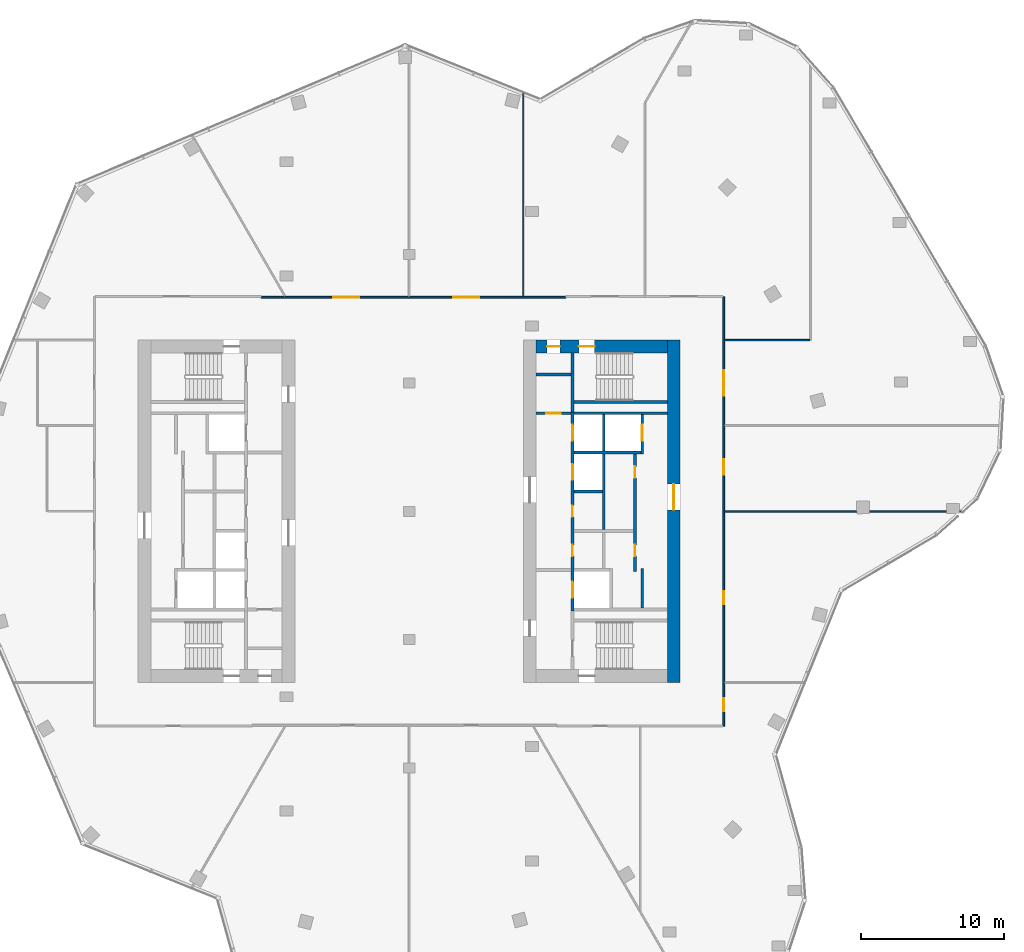
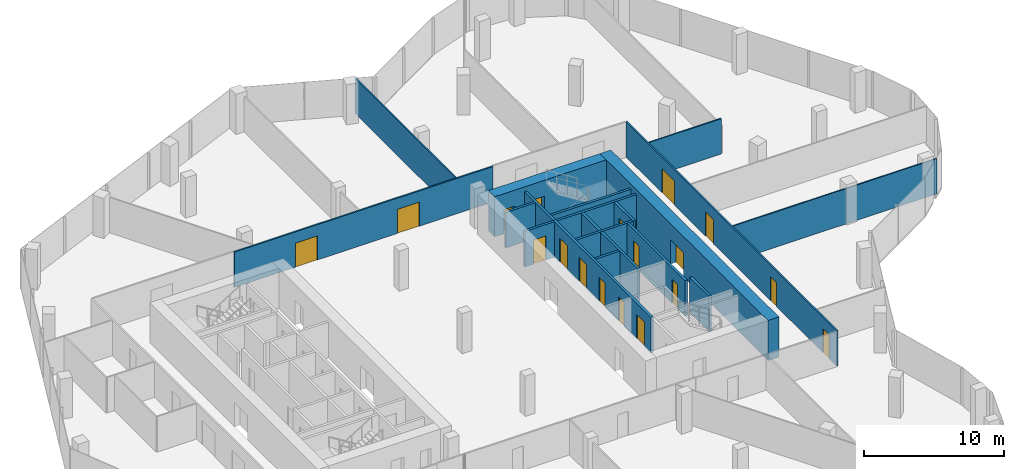
# One storey, part 14 of 16: 20 walls, 18 doors, 18 openings.
"""IFC4 building model written with IfcOpenShell, lengths in metres."""

from ifc_helpers import new_model, si_unit, direction, frame, frame_2d, origin, place, context, subcontext, project, spatial, rectangle, extrude, material, layer, layer_set, type_object, element, fill, save


model = new_model("IFC4")

# Units and contexts
model_context = context("Model", 3, precision=1e-05, world=origin(), true_north=direction((0.0, 1.0)))
body_context = subcontext(model_context, "Body", "Model", "MODEL_VIEW")
ifc_project = project(units=[si_unit("LENGTHUNIT", "METRE"), si_unit("AREAUNIT", "SQUARE_METRE"), si_unit("VOLUMEUNIT", "CUBIC_METRE"), si_unit("PLANEANGLEUNIT", "RADIAN"), si_unit("MASSUNIT", "GRAM", prefix="KILO")], contexts=[model_context])

# Site, building, storey
site_placement = place(None, origin())
site = spatial("IfcSite", under=ifc_project, at=site_placement, CompositionType="ELEMENT")
building_placement = place(site_placement, origin())
building = spatial("IfcBuilding", under=site, at=building_placement, Name="Orlundy Tower", CompositionType="ELEMENT")
storey_placement = place(building_placement, frame((0.0, 0.0, 285.89990234375)))
storey = spatial("IfcBuildingStorey", under=building, at=storey_placement, Name="L76", CompositionType="ELEMENT", Elevation=285.89990234375)

# Wall, openings, doors
ifc_material_1 = material(Name="Concrete C50/60", Category="concrete")
ifc_layer_1 = layer(ifc_material_1, 0.89990234375)
ifc_layer_set_1 = layer_set([ifc_layer_1], Name="CORE WALL 900 C50/60")
wall_type_1 = type_object("IfcWallType", Name="CORE WALL 900 C50/60", PredefinedType="SHEAR", material=ifc_layer_set_1)
wall_1_placement = place(storey_placement, frame((8.89990234375, 11.550048828125, 0.0), z_axis=(0.0, 0.0, 1.0), x_axis=(1.0, 0.0, 0.0)))
wall_1 = element("IfcWall", 1, at=wall_1_placement, inside=storey, type_object=wall_type_1, Name="Core wall E-N L76", PredefinedType="SHEAR", context=body_context, shape_type="SweptSolid", body=[
    extrude(rectangle(XDim=9.2001953125, YDim=0.89990234375, at=frame_2d((4.60009765625, 0.0))), origin(), (0.0, 0.0, 1.0), 3.5),
])
opening_1_placement = place(wall_1_placement, frame((3.0, 0.0, 0.0)))
opening_1 = element("IfcOpeningElement", 2, at=opening_1_placement, cuts=wall_1, Name="Opening 58062", PredefinedType="OPENING", context=body_context, shape_type="SweptSolid", body=[
    extrude(rectangle(XDim=1.10009765625, YDim=2.10009765625, at=frame_2d((0.550048828125, 1.050048828125))), frame((0.0, 0.4599609375, 0.0), z_axis=(0.0, -1.0, 0.0), x_axis=(1.0, 0.0, 0.0)), (0.0, 0.0, 1.0), 0.919921875),
])
opening_2_placement = place(wall_1_placement, frame((0.77001953125, 0.0, 0.0)))
opening_2 = element("IfcOpeningElement", 3, at=opening_2_placement, cuts=wall_1, Name="Opening 58064", PredefinedType="OPENING", context=body_context, shape_type="SweptSolid", body=[
    extrude(rectangle(XDim=0.89990234375, YDim=2.10009765625, at=frame_2d((0.449951171875, 1.050048828125))), frame((0.0, 0.4599609375, 0.0), z_axis=(0.0, -1.0, 0.0), x_axis=(1.0, 0.0, 0.0)), (0.0, 0.0, 1.0), 0.919921875),
])
ifc_material_2 = material(Name="Timber door set", Category="wood")
door_type_1 = type_object("IfcDoorType", Name="Room Door 900x2100", OperationType="SINGLE_SWING_LEFT", PredefinedType="DOOR", material=ifc_material_2)
door_1_placement = place(opening_2_placement, origin())
door_1 = element("IfcDoor", 4, at=door_1_placement, inside=storey, type_object=door_type_1, Name="Store door 58064", OperationType="SINGLE_SWING_LEFT", OverallHeight=2.10009765625, OverallWidth=0.89990234375, PredefinedType="DOOR", context=body_context, shape_type="SweptSolid", body=[
    extrude(rectangle(XDim=0.89990234375, YDim=2.10009765625, at=frame_2d((0.449951171875, 1.050048828125))), frame((0.0, 0.02490234375, 0.0), z_axis=(0.0, -1.0, 0.0), x_axis=(1.0, 0.0, 0.0)), (0.0, 0.0, 1.0), 0.050048828125),
])
fill(opening_2, door_1)
ifc_material_3 = material(Name="Steel door set", Category="steel")
door_type_2 = type_object("IfcDoorType", Name="Stair Door 1100x2100", OperationType="SINGLE_SWING_LEFT", PredefinedType="DOOR", material=ifc_material_3)
door_2_placement = place(opening_1_placement, origin())
door_2 = element("IfcDoor", 5, at=door_2_placement, inside=storey, type_object=door_type_2, Name="Stair door 58062", OperationType="SINGLE_SWING_LEFT", OverallHeight=2.10009765625, OverallWidth=1.10009765625, PredefinedType="DOOR", context=body_context, shape_type="SweptSolid", body=[
    extrude(rectangle(XDim=1.10009765625, YDim=2.10009765625, at=frame_2d((0.550048828125, 1.050048828125))), frame((0.0, 0.02490234375, 0.0), z_axis=(0.0, -1.0, 0.0), x_axis=(1.0, 0.0, 0.0)), (0.0, 0.0, 1.0), 0.050048828125),
])
fill(opening_1, door_2)

# Wall, opening, door
wall_2_placement = place(storey_placement, frame((18.550048828125, -12.0, 0.0), z_axis=(0.0, 0.0, 1.0), x_axis=(0.0, 1.0, 0.0)))
wall_2 = element("IfcWall", 6, at=wall_2_placement, inside=storey, type_object=wall_type_1, Name="Core wall E-E L76", PredefinedType="SHEAR", context=body_context, shape_type="SweptSolid", body=[
    extrude(rectangle(XDim=24.0, YDim=0.89990234375, at=frame_2d((12.0, 0.0))), origin(), (0.0, 0.0, 1.0), 3.5),
])
opening_3_placement = place(wall_2_placement, frame((12.10009765625, 0.0, 0.0)))
opening_3 = element("IfcOpeningElement", 7, at=opening_3_placement, cuts=wall_2, Name="Opening 58059", PredefinedType="OPENING", context=body_context, shape_type="SweptSolid", body=[
    extrude(rectangle(XDim=1.800048828125, YDim=2.10009765625, at=frame_2d((0.89990234375, 1.050048828125))), frame((0.0, 0.4599609375, 0.0), z_axis=(0.0, -1.0, 0.0), x_axis=(1.0, 0.0, 0.0)), (0.0, 0.0, 1.0), 0.919921875),
])
ifc_material_4 = material(Name="Timber door set", Category="wood")
door_type_3 = type_object("IfcDoorType", Name="Lobby Door 1800x2100", OperationType="DOUBLE_DOOR_DOUBLE_SWING", PredefinedType="DOOR", material=ifc_material_4)
door_3_placement = place(opening_3_placement, origin())
door_3 = element("IfcDoor", 8, at=door_3_placement, inside=storey, type_object=door_type_3, Name="Lift lobby door 58059", OperationType="SINGLE_SWING_RIGHT", OverallHeight=2.10009765625, OverallWidth=1.800048828125, PredefinedType="DOOR", context=body_context, shape_type="SweptSolid", body=[
    extrude(rectangle(XDim=1.800048828125, YDim=2.10009765625, at=frame_2d((0.89990234375, 1.050048828125))), frame((0.0, 0.02490234375, 0.0), z_axis=(0.0, -1.0, 0.0), x_axis=(1.0, 0.0, 0.0)), (0.0, 0.0, 1.0), 0.050048828125),
])
fill(opening_3, door_3)

# Walls
ifc_material_5 = material(Name="Gypsum board partition")
ifc_layer_2 = layer(ifc_material_5, 0.10009765625)
ifc_layer_set_2 = layer_set([ifc_layer_2], Name="Floor partition 100")
wall_type_2 = type_object("IfcWallType", Name="Floor partition 100", PredefinedType="PARTITIONING", material=ifc_layer_set_2)
wall_3_placement = place(storey_placement, frame((22.113037109375, 0.0, 0.0), z_axis=(0.0, 0.0, 1.0), x_axis=(1.0, 0.0, 0.0)))
element("IfcWall", 9, at=wall_3_placement, inside=storey, type_object=wall_type_2, Name="wall-int-L76-009", PredefinedType="PARTITIONING", context=body_context, shape_type="SweptSolid", body=[
    extrude(rectangle(XDim=16.802978515625, YDim=0.10009765625, at=frame_2d((8.4013671875, 0.0))), origin(), (0.0, 0.0, 1.0), 3.080078125),
])
wall_4_placement = place(storey_placement, frame((22.113037109375, 12.0, 0.0), z_axis=(0.0, 0.0, 1.0), x_axis=(1.0, 0.0, 0.0)))
element("IfcWall", 10, at=wall_4_placement, inside=storey, type_object=wall_type_2, Name="wall-int-L76-013", PredefinedType="PARTITIONING", context=body_context, shape_type="SweptSolid", body=[
    extrude(rectangle(XDim=5.97802734375, YDim=0.10009765625, at=frame_2d((2.989013671875, 0.0))), origin(), (0.0, 0.0, 1.0), 3.080078125),
])
wall_5_placement = place(storey_placement, frame((8.0, 15.06298828125, 0.0), z_axis=(0.0, 0.0, 1.0), x_axis=(0.0, 1.0, 0.0)))
element("IfcWall", 11, at=wall_5_placement, inside=storey, type_object=wall_type_2, Name="wall-int-L76-023", PredefinedType="PARTITIONING", context=body_context, shape_type="SweptSolid", body=[
    extrude(rectangle(XDim=14.3310546875, YDim=0.10009765625, at=frame_2d((7.16552734375, 0.0))), origin(), (0.0, 0.0, 1.0), 3.080078125),
])

# Wall, openings, doors
ifc_material_6 = material(Name="Gypsum board partition, double layer")
ifc_layer_3 = layer(ifc_material_6, 0.125)
ifc_layer_set_3 = layer_set([ifc_layer_3], Name="Floor partition 125")
wall_type_3 = type_object("IfcWallType", Name="Floor partition 125", PredefinedType="PARTITIONING", material=ifc_layer_set_3)
wall_6_placement = place(storey_placement, frame((-10.34912109375, 15.0009765625, 0.0), z_axis=(0.0, 0.0, 1.0), x_axis=(1.0, 0.0, 0.0)))
wall_6 = element("IfcWall", 12, at=wall_6_placement, inside=storey, type_object=wall_type_3, Name="wall-int-L76-014", PredefinedType="PARTITIONING", context=body_context, shape_type="SweptSolid", body=[
    extrude(rectangle(XDim=21.339111328125, YDim=0.125, at=frame_2d((10.66943359375, 0.0))), origin(), (0.0, 0.0, 1.0), 3.080078125),
])
opening_4_placement = place(wall_6_placement, frame((13.448974609375, 0.0, 0.0)))
opening_4 = element("IfcOpeningElement", 13, at=opening_4_placement, cuts=wall_6, Name="Opening 58112", PredefinedType="OPENING", context=body_context, shape_type="SweptSolid", body=[
    extrude(rectangle(XDim=1.800048828125, YDim=2.10009765625, at=frame_2d((0.89990234375, 1.050048828125))), frame((0.0, 0.072509765625, 0.0), z_axis=(0.0, -1.0, 0.0), x_axis=(1.0, 0.0, 0.0)), (0.0, 0.0, 1.0), 0.14501953125),
])
opening_5_placement = place(wall_6_placement, frame((5.0380859375, 0.0, 0.0)))
opening_5 = element("IfcOpeningElement", 14, at=opening_5_placement, cuts=wall_6, Name="Opening 58113", PredefinedType="OPENING", context=body_context, shape_type="SweptSolid", body=[
    extrude(rectangle(XDim=1.800048828125, YDim=2.10009765625, at=frame_2d((0.89990234375, 1.050048828125))), frame((0.0, 0.072509765625, 0.0), z_axis=(0.0, -1.0, 0.0), x_axis=(1.0, 0.0, 0.0)), (0.0, 0.0, 1.0), 0.14501953125),
])
ifc_material_7 = material(Name="Timber door leaf", Category="wood")
door_type_4 = type_object("IfcDoorType", Name="Floor door double 1800 FD30S", OperationType="NOTDEFINED", PredefinedType="DOOR", material=ifc_material_7)
door_4_placement = place(opening_4_placement, origin())
door_4 = element("IfcDoor", 15, at=door_4_placement, inside=storey, type_object=door_type_4, Name="Door 58112", OperationType="DOUBLE_DOOR_SINGLE_SWING", OverallHeight=2.10009765625, OverallWidth=1.800048828125, PredefinedType="DOOR", context=body_context, shape_type="SweptSolid", body=[
    extrude(rectangle(XDim=1.800048828125, YDim=2.10009765625, at=frame_2d((0.89990234375, 1.050048828125))), frame((0.0, 0.02490234375, 0.0), z_axis=(0.0, -1.0, 0.0), x_axis=(1.0, 0.0, 0.0)), (0.0, 0.0, 1.0), 0.050048828125),
])
fill(opening_4, door_4)
door_5_placement = place(opening_5_placement, origin())
door_5 = element("IfcDoor", 16, at=door_5_placement, inside=storey, type_object=door_type_4, Name="Door 58113", OperationType="DOUBLE_DOOR_SINGLE_SWING", OverallHeight=2.10009765625, OverallWidth=1.800048828125, PredefinedType="DOOR", context=body_context, shape_type="SweptSolid", body=[
    extrude(rectangle(XDim=1.800048828125, YDim=2.10009765625, at=frame_2d((0.89990234375, 1.050048828125))), frame((0.0, 0.02490234375, 0.0), z_axis=(0.0, -1.0, 0.0), x_axis=(1.0, 0.0, 0.0)), (0.0, 0.0, 1.0), 0.050048828125),
])
fill(opening_5, door_5)

wall_7_placement = place(storey_placement, frame((22.051025390625, 15.050048828125, 0.0), z_axis=(0.0, 0.0, 1.0), x_axis=(0.0, -1.0, 0.0)))
wall_7 = element("IfcWall", 17, at=wall_7_placement, inside=storey, type_object=wall_type_3, Name="wall-int-L76-020", PredefinedType="PARTITIONING", context=body_context, shape_type="SweptSolid", body=[
    extrude(rectangle(XDim=30.10009765625, YDim=0.125, at=frame_2d((15.050048828125, 0.0))), origin(), (0.0, 0.0, 1.0), 3.080078125),
])
opening_6_placement = place(wall_7_placement, frame((28.14990234375, 0.0, 0.0)))
opening_6 = element("IfcOpeningElement", 18, at=opening_6_placement, cuts=wall_7, Name="Opening 58106", PredefinedType="OPENING", context=body_context, shape_type="SweptSolid", body=[
    extrude(rectangle(XDim=0.89990234375, YDim=2.10009765625, at=frame_2d((0.449951171875, 1.050048828125))), frame((0.0, 0.072509765625, 0.0), z_axis=(0.0, -1.0, 0.0), x_axis=(1.0, 0.0, 0.0)), (0.0, 0.0, 1.0), 0.14501953125),
])
opening_7_placement = place(wall_7_placement, frame((20.64990234375, 0.0, 0.0)))
opening_7 = element("IfcOpeningElement", 19, at=opening_7_placement, cuts=wall_7, Name="Opening 58107", PredefinedType="OPENING", context=body_context, shape_type="SweptSolid", body=[
    extrude(rectangle(XDim=0.89990234375, YDim=2.10009765625, at=frame_2d((0.449951171875, 1.050048828125))), frame((0.0, 0.072509765625, 0.0), z_axis=(0.0, -1.0, 0.0), x_axis=(1.0, 0.0, 0.0)), (0.0, 0.0, 1.0), 0.14501953125),
])
opening_8_placement = place(wall_7_placement, frame((11.39990234375, 0.0, 0.0)))
opening_8 = element("IfcOpeningElement", 20, at=opening_8_placement, cuts=wall_7, Name="Opening 58108", PredefinedType="OPENING", context=body_context, shape_type="SweptSolid", body=[
    extrude(rectangle(XDim=1.10009765625, YDim=2.10009765625, at=frame_2d((0.550048828125, 1.050048828125))), frame((0.0, 0.072509765625, 0.0), z_axis=(0.0, -1.0, 0.0), x_axis=(1.0, 0.0, 0.0)), (0.0, 0.0, 1.0), 0.14501953125),
])
opening_9_placement = place(wall_7_placement, frame((5.14990234375, 0.0, 0.0)))
opening_9 = element("IfcOpeningElement", 21, at=opening_9_placement, cuts=wall_7, Name="Opening 58109", PredefinedType="OPENING", context=body_context, shape_type="SweptSolid", body=[
    extrude(rectangle(XDim=1.800048828125, YDim=2.10009765625, at=frame_2d((0.89990234375, 1.050048828125))), frame((0.0, 0.072509765625, 0.0), z_axis=(0.0, -1.0, 0.0), x_axis=(1.0, 0.0, 0.0)), (0.0, 0.0, 1.0), 0.14501953125),
])
door_6_placement = place(opening_9_placement, origin())
door_6 = element("IfcDoor", 22, at=door_6_placement, inside=storey, type_object=door_type_4, Name="Door 58109", OperationType="DOUBLE_DOOR_SINGLE_SWING", OverallHeight=2.10009765625, OverallWidth=1.800048828125, PredefinedType="DOOR", context=body_context, shape_type="SweptSolid", body=[
    extrude(rectangle(XDim=1.800048828125, YDim=2.10009765625, at=frame_2d((0.89990234375, 1.050048828125))), frame((0.0, 0.02490234375, 0.0), z_axis=(0.0, -1.0, 0.0), x_axis=(1.0, 0.0, 0.0)), (0.0, 0.0, 1.0), 0.050048828125),
])
fill(opening_9, door_6)
ifc_material_8 = material(Name="Timber door leaf", Category="wood")
door_type_5 = type_object("IfcDoorType", Name="Floor door single 900 FD30S", OperationType="NOTDEFINED", PredefinedType="DOOR", material=ifc_material_8)
door_7_placement = place(opening_6_placement, origin())
door_7 = element("IfcDoor", 23, at=door_7_placement, inside=storey, type_object=door_type_5, Name="Door 58106", OperationType="SINGLE_SWING_RIGHT", OverallHeight=2.10009765625, OverallWidth=0.89990234375, PredefinedType="DOOR", context=body_context, shape_type="SweptSolid", body=[
    extrude(rectangle(XDim=0.89990234375, YDim=2.10009765625, at=frame_2d((0.449951171875, 1.050048828125))), frame((0.0, 0.02490234375, 0.0), z_axis=(0.0, -1.0, 0.0), x_axis=(1.0, 0.0, 0.0)), (0.0, 0.0, 1.0), 0.050048828125),
])
fill(opening_6, door_7)
door_8_placement = place(opening_7_placement, origin())
door_8 = element("IfcDoor", 24, at=door_8_placement, inside=storey, type_object=door_type_5, Name="Door 58107", OperationType="SINGLE_SWING_RIGHT", OverallHeight=2.10009765625, OverallWidth=0.89990234375, PredefinedType="DOOR", context=body_context, shape_type="SweptSolid", body=[
    extrude(rectangle(XDim=0.89990234375, YDim=2.10009765625, at=frame_2d((0.449951171875, 1.050048828125))), frame((0.0, 0.02490234375, 0.0), z_axis=(0.0, -1.0, 0.0), x_axis=(1.0, 0.0, 0.0)), (0.0, 0.0, 1.0), 0.050048828125),
])
fill(opening_7, door_8)
ifc_material_9 = material(Name="Timber door leaf", Category="wood")
door_type_6 = type_object("IfcDoorType", Name="Floor door xwide 1100 FD30S", OperationType="NOTDEFINED", PredefinedType="DOOR", material=ifc_material_9)
door_9_placement = place(opening_8_placement, origin())
door_9 = element("IfcDoor", 25, at=door_9_placement, inside=storey, type_object=door_type_6, Name="Door 58108", OperationType="SINGLE_SWING_LEFT", OverallHeight=2.10009765625, OverallWidth=1.10009765625, PredefinedType="DOOR", context=body_context, shape_type="SweptSolid", body=[
    extrude(rectangle(XDim=1.10009765625, YDim=2.10009765625, at=frame_2d((0.550048828125, 1.050048828125))), frame((0.0, 0.02490234375, 0.0), z_axis=(0.0, -1.0, 0.0), x_axis=(1.0, 0.0, 0.0)), (0.0, 0.0, 1.0), 0.050048828125),
])
fill(opening_8, door_9)

# Walls
ifc_material_10 = material(Name="Concrete C40/50", Category="concrete")
ifc_layer_4 = layer(ifc_material_10, 0.199951171875)
ifc_layer_set_4 = layer_set([ifc_layer_4], Name="Load-bearing Shaft Wall 200")
wall_type_4 = type_object("IfcWallType", Name="Load-bearing Shaft Wall 200", PredefinedType="SOLIDWALL", material=ifc_layer_set_4)
wall_8_placement = place(storey_placement, frame((11.43994140625, 11.10009765625, 0.0), z_axis=(0.0, 0.0, 1.0), x_axis=(0.0, -1.0, 0.0)))
element("IfcWall", 26, at=wall_8_placement, inside=storey, type_object=wall_type_4, Name="Shaft wall E58-stair-end-s", PredefinedType="SOLIDWALL", context=body_context, shape_type="SweptSolid", body=[
    extrude(rectangle(XDim=4.125, YDim=0.199951171875, at=frame_2d((2.0625, 0.0))), origin(), (0.0, 0.0, 1.0), 3.090087890625),
])
wall_9_placement = place(storey_placement, frame((11.5400390625, 7.64990234375, 0.0), z_axis=(0.0, 0.0, 1.0), x_axis=(1.0, 0.0, 0.0)))
element("IfcWall", 27, at=wall_9_placement, inside=storey, type_object=wall_type_4, Name="Shaft wall E58-stair-side-s", PredefinedType="SOLIDWALL", context=body_context, shape_type="SweptSolid", body=[
    extrude(rectangle(XDim=6.56005859375, YDim=0.199951171875, at=frame_2d((3.280029296875, 0.0))), origin(), (0.0, 0.0, 1.0), 3.090087890625),
])

# Wall, opening, door
ifc_material_11 = material(Name="Gypsum board partition on steel studs", Category="steel")
ifc_layer_5 = layer(ifc_material_11, 0.199951171875)
ifc_layer_set_5 = layer_set([ifc_layer_5], Name="Partition 200")
wall_type_5 = type_object("IfcWallType", Name="Partition 200", PredefinedType="PARTITIONING", material=ifc_layer_set_5)
wall_10_placement = place(storey_placement, frame((8.89990234375, 6.875, 0.0), z_axis=(0.0, 0.0, 1.0), x_axis=(1.0, 0.0, 0.0)))
wall_10 = element("IfcWall", 28, at=wall_10_placement, inside=storey, type_object=wall_type_5, Name="Partition wall E58-end-s", PredefinedType="PARTITIONING", context=body_context, shape_type="SweptSolid", body=[
    extrude(rectangle(XDim=2.440185546875, YDim=0.199951171875, at=frame_2d((1.22021484375, 0.0))), origin(), (0.0, 0.0, 1.0), 3.090087890625),
])
opening_10_placement = place(wall_10_placement, frame((0.719970703125, 0.0, 0.0)))
opening_10 = element("IfcOpeningElement", 29, at=opening_10_placement, cuts=wall_10, Name="Opening 58065", PredefinedType="OPENING", context=body_context, shape_type="SweptSolid", body=[
    extrude(rectangle(XDim=1.0, YDim=2.10009765625, at=frame_2d((0.5, 1.050048828125))), frame((0.0, 0.110107421875, 0.0), z_axis=(0.0, -1.0, 0.0), x_axis=(1.0, 0.0, 0.0)), (0.0, 0.0, 1.0), 0.22021484375),
])
ifc_material_12 = material(Name="Timber door set", Category="wood")
door_type_7 = type_object("IfcDoorType", Name="Accessible Door 1000x2100", OperationType="SINGLE_SWING_LEFT", PredefinedType="DOOR", material=ifc_material_12)
door_10_placement = place(opening_10_placement, origin())
door_10 = element("IfcDoor", 30, at=door_10_placement, inside=storey, type_object=door_type_7, Name="Accessible WC door 58065", OperationType="SINGLE_SWING_RIGHT", OverallHeight=2.10009765625, OverallWidth=1.0, PredefinedType="DOOR", context=body_context, shape_type="SweptSolid", body=[
    extrude(rectangle(XDim=1.0, YDim=2.10009765625, at=frame_2d((0.5, 1.050048828125))), frame((0.0, 0.02490234375, 0.0), z_axis=(0.0, -1.0, 0.0), x_axis=(1.0, 0.0, 0.0)), (0.0, 0.0, 1.0), 0.050048828125),
])
fill(opening_10, door_10)

# Walls
wall_11_placement = place(storey_placement, frame((8.89990234375, 9.60009765625, 0.0), z_axis=(0.0, 0.0, 1.0), x_axis=(1.0, 0.0, 0.0)))
element("IfcWall", 31, at=wall_11_placement, inside=storey, type_object=wall_type_5, Name="Partition wall E58-room-s0", PredefinedType="PARTITIONING", context=body_context, shape_type="SweptSolid", body=[
    extrude(rectangle(XDim=2.440185546875, YDim=0.199951171875, at=frame_2d((1.22021484375, 0.0))), origin(), (0.0, 0.0, 1.0), 3.090087890625),
])
ifc_material_13 = material(Name="Fire-rated blockwork shaft wall", Category="masonry")
ifc_layer_6 = layer(ifc_material_13, 0.199951171875)
ifc_layer_set_6 = layer_set([ifc_layer_6], Name="Shaft Wall 200")
wall_type_6 = type_object("IfcWallType", Name="Shaft Wall 200", PredefinedType="SOLIDWALL", material=ifc_layer_set_6)
wall_12_placement = place(storey_placement, frame((11.5400390625, 6.875, 0.0), z_axis=(0.0, 0.0, 1.0), x_axis=(1.0, 0.0, 0.0)))
element("IfcWall", 32, at=wall_12_placement, inside=storey, type_object=wall_type_6, Name="Shaft wall E58-zone-s", PredefinedType="SOLIDWALL", context=body_context, shape_type="SweptSolid", body=[
    extrude(rectangle(XDim=6.56005859375, YDim=0.199951171875, at=frame_2d((3.280029296875, 0.0))), origin(), (0.0, 0.0, 1.0), 3.090087890625),
])
wall_13_placement = place(storey_placement, frame((11.5400390625, 4.125, 0.0), z_axis=(0.0, 0.0, 1.0), x_axis=(1.0, 0.0, 0.0)))
element("IfcWall", 33, at=wall_13_placement, inside=storey, type_object=wall_type_6, Name="Shaft wall E58-cross-4.125", PredefinedType="SOLIDWALL", context=body_context, shape_type="SweptSolid", body=[
    extrude(rectangle(XDim=4.699951171875, YDim=0.199951171875, at=frame_2d((2.35009765625, 0.0))), origin(), (0.0, 0.0, 1.0), 3.090087890625),
])
wall_14_placement = place(storey_placement, frame((11.5400390625, 1.375, 0.0), z_axis=(0.0, 0.0, 1.0), x_axis=(1.0, 0.0, 0.0)))
element("IfcWall", 34, at=wall_14_placement, inside=storey, type_object=wall_type_6, Name="Shaft wall E58-cross-1.375", PredefinedType="SOLIDWALL", context=body_context, shape_type="SweptSolid", body=[
    extrude(rectangle(XDim=2.0, YDim=0.199951171875, at=frame_2d((1.0, 0.0))), origin(), (0.0, 0.0, 1.0), 3.090087890625),
])

# Wall, openings, doors
wall_15_placement = place(storey_placement, frame((11.43994140625, 6.97509765625, 0.0), z_axis=(0.0, 0.0, 1.0), x_axis=(0.0, -1.0, 0.0)))
wall_15 = element("IfcWall", 35, at=wall_15_placement, inside=storey, type_object=wall_type_6, Name="Shaft wall E58-front-h", PredefinedType="SOLIDWALL", context=body_context, shape_type="SweptSolid", body=[
    extrude(rectangle(XDim=13.9501953125, YDim=0.199951171875, at=frame_2d((6.97509765625, 0.0))), origin(), (0.0, 0.0, 1.0), 3.090087890625),
])
opening_11_placement = place(wall_15_placement, frame((0.925048828125, 0.0, 0.0)))
opening_11 = element("IfcOpeningElement", 36, at=opening_11_placement, cuts=wall_15, Name="Opening 58050", PredefinedType="OPENING", context=body_context, shape_type="SweptSolid", body=[
    extrude(rectangle(XDim=1.10009765625, YDim=2.10009765625, at=frame_2d((0.550048828125, 1.050048828125))), frame((0.0, 0.110107421875, 0.0), z_axis=(0.0, -1.0, 0.0), x_axis=(1.0, 0.0, 0.0)), (0.0, 0.0, 1.0), 0.22021484375),
])
opening_12_placement = place(wall_15_placement, frame((3.675048828125, 0.0, 0.0)))
opening_12 = element("IfcOpeningElement", 37, at=opening_12_placement, cuts=wall_15, Name="Opening 58052", PredefinedType="OPENING", context=body_context, shape_type="SweptSolid", body=[
    extrude(rectangle(XDim=1.10009765625, YDim=2.10009765625, at=frame_2d((0.550048828125, 1.050048828125))), frame((0.0, 0.110107421875, 0.0), z_axis=(0.0, -1.0, 0.0), x_axis=(1.0, 0.0, 0.0)), (0.0, 0.0, 1.0), 0.22021484375),
])
opening_13_placement = place(wall_15_placement, frame((11.925048828125, 0.0, 0.0)))
opening_13 = element("IfcOpeningElement", 38, at=opening_13_placement, cuts=wall_15, Name="Opening 58053", PredefinedType="OPENING", context=body_context, shape_type="SweptSolid", body=[
    extrude(rectangle(XDim=1.10009765625, YDim=2.10009765625, at=frame_2d((0.550048828125, 1.050048828125))), frame((0.0, 0.110107421875, 0.0), z_axis=(0.0, -1.0, 0.0), x_axis=(1.0, 0.0, 0.0)), (0.0, 0.0, 1.0), 0.22021484375),
])
opening_14_placement = place(wall_15_placement, frame((6.574951171875, 0.0, 0.0)))
opening_14 = element("IfcOpeningElement", 39, at=opening_14_placement, cuts=wall_15, Name="Opening 58055", PredefinedType="OPENING", context=body_context, shape_type="SweptSolid", body=[
    extrude(rectangle(XDim=0.800048828125, YDim=2.10009765625, at=frame_2d((0.39990234375, 1.050048828125))), frame((0.0, 0.110107421875, 0.0), z_axis=(0.0, -1.0, 0.0), x_axis=(1.0, 0.0, 0.0)), (0.0, 0.0, 1.0), 0.22021484375),
])
opening_15_placement = place(wall_15_placement, frame((9.324951171875, 0.0, 0.0)))
opening_15 = element("IfcOpeningElement", 40, at=opening_15_placement, cuts=wall_15, Name="Opening 58056", PredefinedType="OPENING", context=body_context, shape_type="SweptSolid", body=[
    extrude(rectangle(XDim=0.800048828125, YDim=2.10009765625, at=frame_2d((0.39990234375, 1.050048828125))), frame((0.0, 0.110107421875, 0.0), z_axis=(0.0, -1.0, 0.0), x_axis=(1.0, 0.0, 0.0)), (0.0, 0.0, 1.0), 0.22021484375),
])
ifc_material_14 = material(Name="Steel door set", Category="steel")
door_type_8 = type_object("IfcDoorType", Name="Landing Door 1100x2100", OperationType="DOUBLE_DOOR_SLIDING", PredefinedType="DOOR", material=ifc_material_14)
door_11_placement = place(opening_11_placement, origin())
door_11 = element("IfcDoor", 41, at=door_11_placement, inside=storey, type_object=door_type_8, Name="Lift landing door LP-24 58050", OperationType="DOUBLE_DOOR_SLIDING", OverallHeight=2.10009765625, OverallWidth=1.10009765625, PredefinedType="DOOR", context=body_context, shape_type="SweptSolid", body=[
    extrude(rectangle(XDim=1.10009765625, YDim=2.10009765625, at=frame_2d((0.550048828125, 1.050048828125))), frame((0.0, 0.02490234375, 0.0), z_axis=(0.0, -1.0, 0.0), x_axis=(1.0, 0.0, 0.0)), (0.0, 0.0, 1.0), 0.050048828125),
])
fill(opening_11, door_11)
door_12_placement = place(opening_12_placement, origin())
door_12 = element("IfcDoor", 42, at=door_12_placement, inside=storey, type_object=door_type_8, Name="Lift landing door LP-23 58052", OperationType="DOUBLE_DOOR_SLIDING", OverallHeight=2.10009765625, OverallWidth=1.10009765625, PredefinedType="DOOR", context=body_context, shape_type="SweptSolid", body=[
    extrude(rectangle(XDim=1.10009765625, YDim=2.10009765625, at=frame_2d((0.550048828125, 1.050048828125))), frame((0.0, 0.02490234375, 0.0), z_axis=(0.0, -1.0, 0.0), x_axis=(1.0, 0.0, 0.0)), (0.0, 0.0, 1.0), 0.050048828125),
])
fill(opening_12, door_12)
door_13_placement = place(opening_13_placement, origin())
door_13 = element("IfcDoor", 43, at=door_13_placement, inside=storey, type_object=door_type_8, Name="Lift landing door FL2 58053", OperationType="DOUBLE_DOOR_SLIDING", OverallHeight=2.10009765625, OverallWidth=1.10009765625, PredefinedType="DOOR", context=body_context, shape_type="SweptSolid", body=[
    extrude(rectangle(XDim=1.10009765625, YDim=2.10009765625, at=frame_2d((0.550048828125, 1.050048828125))), frame((0.0, 0.02490234375, 0.0), z_axis=(0.0, -1.0, 0.0), x_axis=(1.0, 0.0, 0.0)), (0.0, 0.0, 1.0), 0.050048828125),
])
fill(opening_13, door_13)
ifc_material_15 = material(Name="Timber door set", Category="wood")
door_type_9 = type_object("IfcDoorType", Name="Riser Door 800x2100", OperationType="SINGLE_SWING_LEFT", PredefinedType="DOOR", material=ifc_material_15)
door_14_placement = place(opening_14_placement, origin())
door_14 = element("IfcDoor", 44, at=door_14_placement, inside=storey, type_object=door_type_9, Name="Coat Store door 58055", OperationType="SINGLE_SWING_LEFT", OverallHeight=2.10009765625, OverallWidth=0.800048828125, PredefinedType="DOOR", context=body_context, shape_type="SweptSolid", body=[
    extrude(rectangle(XDim=0.800048828125, YDim=2.10009765625, at=frame_2d((0.39990234375, 1.050048828125))), frame((0.0, 0.02490234375, 0.0), z_axis=(0.0, -1.0, 0.0), x_axis=(1.0, 0.0, 0.0)), (0.0, 0.0, 1.0), 0.050048828125),
])
fill(opening_14, door_14)
door_15_placement = place(opening_15_placement, origin())
door_15 = element("IfcDoor", 45, at=door_15_placement, inside=storey, type_object=door_type_9, Name="Parcel Store door 58056", OperationType="SINGLE_SWING_LEFT", OverallHeight=2.10009765625, OverallWidth=0.800048828125, PredefinedType="DOOR", context=body_context, shape_type="SweptSolid", body=[
    extrude(rectangle(XDim=0.800048828125, YDim=2.10009765625, at=frame_2d((0.39990234375, 1.050048828125))), frame((0.0, 0.02490234375, 0.0), z_axis=(0.0, -1.0, 0.0), x_axis=(1.0, 0.0, 0.0)), (0.0, 0.0, 1.0), 0.050048828125),
])
fill(opening_15, door_15)

# Walls
wall_16_placement = place(storey_placement, frame((13.639892578125, 6.77490234375, 0.0), z_axis=(0.0, 0.0, 1.0), x_axis=(0.0, -1.0, 0.0)))
element("IfcWall", 46, at=wall_16_placement, inside=storey, type_object=wall_type_6, Name="Shaft wall E58-mid-a", PredefinedType="SOLIDWALL", context=body_context, shape_type="SweptSolid", body=[
    extrude(rectangle(XDim=2.5498046875, YDim=0.199951171875, at=frame_2d((1.27490234375, 0.0))), origin(), (0.0, 0.0, 1.0), 3.090087890625),
])
wall_17_placement = place(storey_placement, frame((13.639892578125, 4.02490234375, 0.0), z_axis=(0.0, 0.0, 1.0), x_axis=(0.0, -1.0, 0.0)))
element("IfcWall", 47, at=wall_17_placement, inside=storey, type_object=wall_type_6, Name="Shaft wall E58-mid-a.1", PredefinedType="SOLIDWALL", context=body_context, shape_type="SweptSolid", body=[
    extrude(rectangle(XDim=5.2998046875, YDim=0.199951171875, at=frame_2d((2.64990234375, 0.0))), origin(), (0.0, 0.0, 1.0), 3.090087890625),
])

# Wall, opening, door
wall_18_placement = place(storey_placement, frame((16.340087890625, 6.77490234375, 0.0), z_axis=(0.0, 0.0, 1.0), x_axis=(0.0, -1.0, 0.0)))
wall_18 = element("IfcWall", 48, at=wall_18_placement, inside=storey, type_object=wall_type_6, Name="Shaft wall E58-front-o-a", PredefinedType="SOLIDWALL", context=body_context, shape_type="SweptSolid", body=[
    extrude(rectangle(XDim=2.75, YDim=0.199951171875, at=frame_2d((1.375, 0.0))), origin(), (0.0, 0.0, 1.0), 3.090087890625),
])
opening_16_placement = place(wall_18_placement, frame((0.72509765625, 0.0, 0.0)))
opening_16 = element("IfcOpeningElement", 49, at=opening_16_placement, cuts=wall_18, Name="Opening 58051", PredefinedType="OPENING", context=body_context, shape_type="SweptSolid", body=[
    extrude(rectangle(XDim=1.10009765625, YDim=2.10009765625, at=frame_2d((0.550048828125, 1.050048828125))), frame((0.0, 0.110107421875, 0.0), z_axis=(0.0, -1.0, 0.0), x_axis=(1.0, 0.0, 0.0)), (0.0, 0.0, 1.0), 0.22021484375),
])
door_16_placement = place(opening_16_placement, origin())
door_16 = element("IfcDoor", 50, at=door_16_placement, inside=storey, type_object=door_type_8, Name="Lift landing door LV-02 58051", OperationType="DOUBLE_DOOR_SLIDING", OverallHeight=2.10009765625, OverallWidth=1.10009765625, PredefinedType="DOOR", context=body_context, shape_type="SweptSolid", body=[
    extrude(rectangle(XDim=1.10009765625, YDim=2.10009765625, at=frame_2d((0.550048828125, 1.050048828125))), frame((0.0, 0.02490234375, 0.0), z_axis=(0.0, -1.0, 0.0), x_axis=(1.0, 0.0, 0.0)), (0.0, 0.0, 1.0), 0.050048828125),
])
fill(opening_16, door_16)

# Wall, openings, doors
wall_19_placement = place(storey_placement, frame((15.840087890625, 4.02490234375, 0.0), z_axis=(0.0, 0.0, 1.0), x_axis=(0.0, -1.0, 0.0)))
wall_19 = element("IfcWall", 51, at=wall_19_placement, inside=storey, type_object=wall_type_6, Name="Shaft wall E58-front-o-b", PredefinedType="SOLIDWALL", context=body_context, shape_type="SweptSolid", body=[
    extrude(rectangle(XDim=8.25, YDim=0.199951171875, at=frame_2d((4.125, 0.0))), origin(), (0.0, 0.0, 1.0), 3.090087890625),
])
opening_17_placement = place(wall_19_placement, frame((0.875, 0.0, 0.0)))
opening_17 = element("IfcOpeningElement", 52, at=opening_17_placement, cuts=wall_19, Name="Opening 58054", PredefinedType="OPENING", context=body_context, shape_type="SweptSolid", body=[
    extrude(rectangle(XDim=0.800048828125, YDim=2.10009765625, at=frame_2d((0.39990234375, 1.050048828125))), frame((0.0, 0.110107421875, 0.0), z_axis=(0.0, -1.0, 0.0), x_axis=(1.0, 0.0, 0.0)), (0.0, 0.0, 1.0), 0.22021484375),
])
opening_18_placement = place(wall_19_placement, frame((6.375, 0.0, 0.0)))
opening_18 = element("IfcOpeningElement", 53, at=opening_18_placement, cuts=wall_19, Name="Opening 58057", PredefinedType="OPENING", context=body_context, shape_type="SweptSolid", body=[
    extrude(rectangle(XDim=0.800048828125, YDim=2.10009765625, at=frame_2d((0.39990234375, 1.050048828125))), frame((0.0, 0.110107421875, 0.0), z_axis=(0.0, -1.0, 0.0), x_axis=(1.0, 0.0, 0.0)), (0.0, 0.0, 1.0), 0.22021484375),
])
door_17_placement = place(opening_17_placement, origin())
door_17 = element("IfcDoor", 54, at=door_17_placement, inside=storey, type_object=door_type_9, Name="Printer Paper Store door 58054", OperationType="SINGLE_SWING_LEFT", OverallHeight=2.10009765625, OverallWidth=0.800048828125, PredefinedType="DOOR", context=body_context, shape_type="SweptSolid", body=[
    extrude(rectangle(XDim=0.800048828125, YDim=2.10009765625, at=frame_2d((0.39990234375, 1.050048828125))), frame((0.0, 0.02490234375, 0.0), z_axis=(0.0, -1.0, 0.0), x_axis=(1.0, 0.0, 0.0)), (0.0, 0.0, 1.0), 0.050048828125),
])
fill(opening_17, door_17)
door_18_placement = place(opening_18_placement, origin())
door_18 = element("IfcDoor", 55, at=door_18_placement, inside=storey, type_object=door_type_9, Name="Coat Store door 58057", OperationType="SINGLE_SWING_LEFT", OverallHeight=2.10009765625, OverallWidth=0.800048828125, PredefinedType="DOOR", context=body_context, shape_type="SweptSolid", body=[
    extrude(rectangle(XDim=0.800048828125, YDim=2.10009765625, at=frame_2d((0.39990234375, 1.050048828125))), frame((0.0, 0.02490234375, 0.0), z_axis=(0.0, -1.0, 0.0), x_axis=(1.0, 0.0, 0.0)), (0.0, 0.0, 1.0), 0.050048828125),
])
fill(opening_18, door_18)

# Wall
wall_20_placement = place(storey_placement, frame((16.340087890625, -4.02490234375, 0.0), z_axis=(0.0, 0.0, 1.0), x_axis=(0.0, -1.0, 0.0)))
element("IfcWall", 56, at=wall_20_placement, inside=storey, type_object=wall_type_6, Name="Shaft wall E58-front-o-c", PredefinedType="SOLIDWALL", context=body_context, shape_type="SweptSolid", body=[
    extrude(rectangle(XDim=2.75, YDim=0.199951171875, at=frame_2d((1.375, 0.0))), origin(), (0.0, 0.0, 1.0), 3.090087890625),
])

save(model, "model.ifc")
